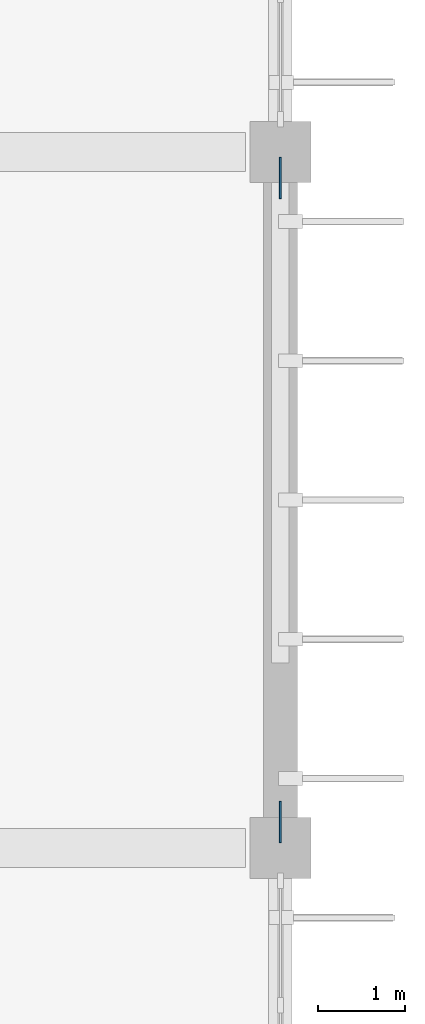
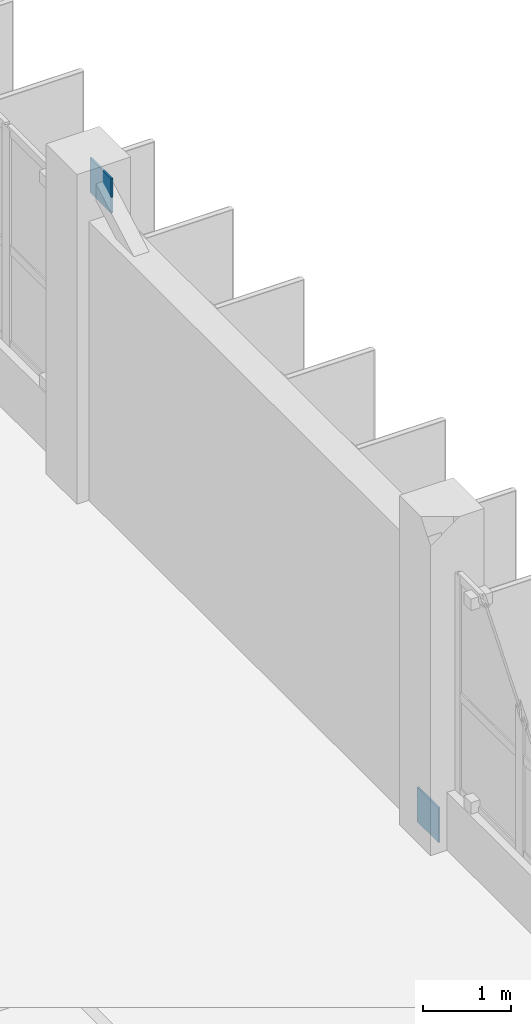
# One storey, part 67 of 93: 2 plates.
"""IFC4 building model written with IfcOpenShell, lengths in metres."""

from ifc_helpers import new_model, si_unit, direction, frame, origin, origin_2d, place, context, subcontext, project, spatial, rectangle, extrude, material, layer, layer_set, type_object, element, save


model = new_model("IFC4")

# Units and contexts
model_context = context("Model", 3, precision=1e-05, world=origin(), true_north=direction((0.0, 1.0)))
body_context = subcontext(model_context, "Body", "Model", "MODEL_VIEW")
ifc_project = project(units=[si_unit("LENGTHUNIT", "METRE"), si_unit("AREAUNIT", "SQUARE_METRE"), si_unit("VOLUMEUNIT", "CUBIC_METRE"), si_unit("PLANEANGLEUNIT", "RADIAN"), si_unit("MASSUNIT", "GRAM", prefix="KILO")], contexts=[model_context])

# Site, building, storey
site_placement = place(None, origin())
site = spatial("IfcSite", under=ifc_project, at=site_placement, CompositionType="ELEMENT")
building_placement = place(site_placement, origin())
building = spatial("IfcBuilding", under=site, at=building_placement, Name="Drelvana Railside Aquatics Centre", CompositionType="ELEMENT")
storey_placement = place(building_placement, frame((0.0, 0.0, 5.39990234375)))
storey = spatial("IfcBuildingStorey", under=building, at=storey_placement, Name="L01", CompositionType="ELEMENT", Elevation=5.39990234375)

# Plates
ifc_material = material(Name="Structural steel S355", Category="steel")
ifc_layer = layer(ifc_material, 0.02197265625, Name="Structural steel S355")
ifc_layer_set = layer_set([ifc_layer], Name="Structural steel S355")
plate_type = type_object("IfcPlateType", Name="STR-PLT-PL-04", PredefinedType="SHEET", material=ifc_layer_set)
for number, where, z_axis, x_axis, name in (
    (1, (184.0, 48.300048828125, -0.18994140625), (0.0, 0.0, 1.0), (1.0, 0.0, 0.0), "Brace gusset end plate PL-04 (L01)"),
    (2, (184.0, 55.699951171875, 4.010009765625), (0.0, 0.0, 1.0), (1.0, 0.0, 0.0), "Brace gusset end plate PL-04 (L01)"),
):
    element("IfcPlate", number, at=place(storey_placement, frame(where, z_axis=z_axis, x_axis=x_axis)), inside=storey, type_object=plate_type, Name=name, PredefinedType="SHEET", context=body_context, shape_type="SweptSolid", body=[
        extrude(rectangle(XDim=0.02197265625, YDim=0.47998046875, at=origin_2d()), origin(), (0.0, 0.0, 1.0), 0.47998046875),
    ])

save(model, "model.ifc")
